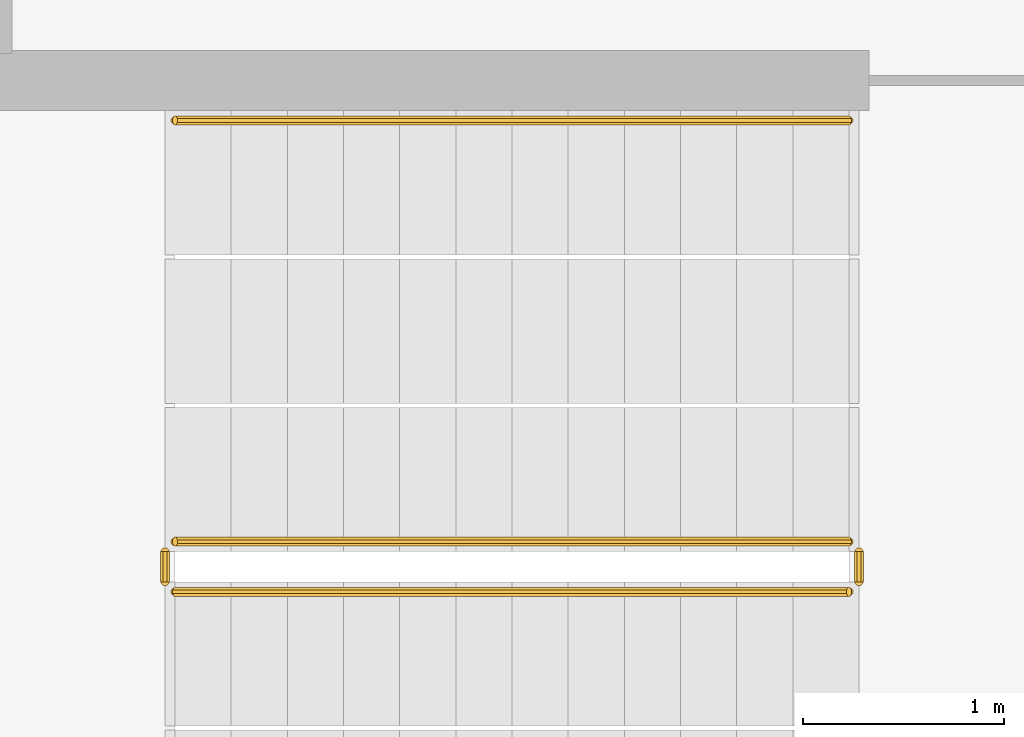
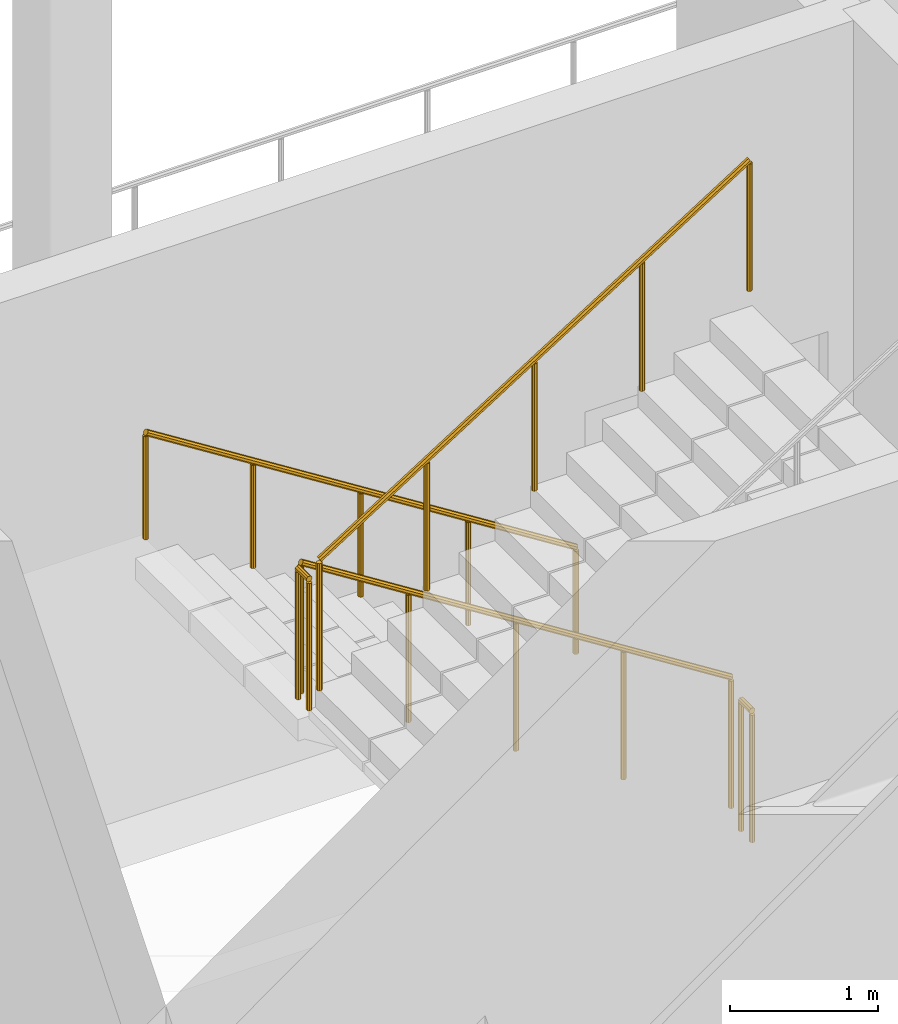
# One storey, part 22 of 31: 5 railings.
"""IFC4 building model written with IfcOpenShell, lengths in metres."""

from ifc_helpers import new_model, si_unit, direction, frame, origin, place, context, subcontext, project, spatial, polyline, outline, extrude, material, type_object, element, save


model = new_model("IFC4")

# Units and contexts
model_context = context("Model", 3, precision=1e-05, world=origin(), true_north=direction((0.0, 1.0)))
body_context = subcontext(model_context, "Body", "Model", "MODEL_VIEW")
ifc_project = project(units=[si_unit("LENGTHUNIT", "METRE"), si_unit("AREAUNIT", "SQUARE_METRE"), si_unit("VOLUMEUNIT", "CUBIC_METRE"), si_unit("PLANEANGLEUNIT", "RADIAN"), si_unit("MASSUNIT", "GRAM", prefix="KILO")], contexts=[model_context])

# Site, building, storey
site_placement = place(None, origin())
site = spatial("IfcSite", under=ifc_project, at=site_placement, CompositionType="ELEMENT")
building_placement = place(site_placement, origin())
building = spatial("IfcBuilding", under=site, at=building_placement, Name="Cormorant Relay Tower", CompositionType="ELEMENT")
storey_placement = place(building_placement, frame((0.0, 0.0, 93.800048828125)))
storey = spatial("IfcBuildingStorey", under=building, at=storey_placement, Name="L18", CompositionType="ELEMENT", Elevation=93.800048828125)

# Railings
ifc_material_1 = material(Name="Steel ASTM A572 Grade 50 (Fy 345 MPa)", Category="steel")
railing_type_1 = type_object("IfcRailingType", Name="Stair guard 1100", PredefinedType="GUARDRAIL", material=ifc_material_1)
railing_1_placement = place(storey_placement, frame((1.60009765625, -18.27490234375, 0.1767578125)))
element("IfcRailing", 1, at=railing_1_placement, inside=storey, type_object=railing_type_1, Name="L18 RK1 stair guard 1", PredefinedType="GUARDRAIL", context=body_context, shape_type="SweptSolid", body=[
    extrude(outline(polyline([(0.022216796875, 0.00927734375), (0.00927734375, 0.022216796875), (-0.00927734375, 0.022216796875), (-0.022216796875, 0.00927734375), (-0.022216796875, -0.00927734375), (-0.00927734375, -0.022216796875), (0.00927734375, -0.022216796875), (0.022216796875, -0.00927734375), (0.022216796875, 0.00927734375)])), frame((0.0, 0.0, 1.076171875), z_axis=(-0.845361898145, 0.0, 0.534194029511), x_axis=(0.0, -1.0, 0.0)), (0.0, 0.0, 1.0), 3.974853515625),
    extrude(outline(polyline([(0.019287109375, 0.008056640625), (0.008056640625, 0.019287109375), (-0.008056640625, 0.019287109375), (-0.019287109375, 0.008056640625), (-0.019287109375, -0.008056640625), (-0.008056640625, -0.019287109375), (0.008056640625, -0.019287109375), (0.019287109375, -0.008056640625), (0.019287109375, 0.008056640625)])), origin(), (0.0, 0.0, 1.0), 1.052001953125),
    extrude(outline(polyline([(0.019287109375, 0.008056640625), (0.008056640625, 0.019287109375), (-0.008056640625, 0.019287109375), (-0.019287109375, 0.008056640625), (-0.019287109375, -0.008056640625), (-0.008056640625, -0.019287109375), (0.008056640625, -0.019287109375), (0.019287109375, -0.008056640625), (0.019287109375, 0.008056640625)])), frame((-0.840087890625, 0.0, 0.53076171875)), (0.0, 0.0, 1.0), 1.052001953125),
    extrude(outline(polyline([(0.019287109375, 0.008056640625), (0.008056640625, 0.019287109375), (-0.008056640625, 0.019287109375), (-0.019287109375, 0.008056640625), (-0.019287109375, -0.008056640625), (-0.008056640625, -0.019287109375), (0.008056640625, -0.019287109375), (0.019287109375, -0.008056640625), (0.019287109375, 0.008056640625)])), frame((-1.68017578125, 0.0, 1.0615234375)), (0.0, 0.0, 1.0), 1.052001953125),
    extrude(outline(polyline([(0.019287109375, 0.008056640625), (0.008056640625, 0.019287109375), (-0.008056640625, 0.019287109375), (-0.019287109375, 0.008056640625), (-0.019287109375, -0.008056640625), (-0.008056640625, -0.019287109375), (0.008056640625, -0.019287109375), (0.019287109375, -0.008056640625), (0.019287109375, 0.008056640625)])), frame((-2.52001953125, 0.0, 1.592529296875)), (0.0, 0.0, 1.0), 1.052001953125),
    extrude(outline(polyline([(0.019287109375, 0.008056640625), (0.008056640625, 0.019287109375), (-0.008056640625, 0.019287109375), (-0.019287109375, 0.008056640625), (-0.019287109375, -0.008056640625), (-0.008056640625, -0.019287109375), (0.008056640625, -0.019287109375), (0.019287109375, -0.008056640625), (0.019287109375, 0.008056640625)])), frame((-3.360107421875, 0.0, 2.123291015625)), (0.0, 0.0, 1.0), 1.052001953125),
])
railing_2_placement = place(storey_placement, frame((-1.81005859375, -18.324951171875, 2.300048828125)))
element("IfcRailing", 2, at=railing_2_placement, inside=storey, type_object=railing_type_1, Name="L18 RK1 stair guard 2", PredefinedType="GUARDRAIL", context=body_context, shape_type="SweptSolid", body=[
    extrude(outline(polyline([(0.022216796875, 0.00927734375), (0.00927734375, 0.022216796875), (-0.00927734375, 0.022216796875), (-0.022216796875, 0.00927734375), (-0.022216796875, -0.00927734375), (-0.00927734375, -0.022216796875), (0.00927734375, -0.022216796875), (0.022216796875, -0.00927734375), (0.022216796875, 0.00927734375)])), frame((0.0, 0.0, 1.076171875), z_axis=(0.0, -1.0, 0.0), x_axis=(1.0, 0.0, 0.0)), (0.0, 0.0, 1.0), 0.150146484375),
    extrude(outline(polyline([(0.019287109375, 0.008056640625), (0.008056640625, 0.019287109375), (-0.008056640625, 0.019287109375), (-0.019287109375, 0.008056640625), (-0.019287109375, -0.008056640625), (-0.008056640625, -0.019287109375), (0.008056640625, -0.019287109375), (0.019287109375, -0.008056640625), (0.019287109375, 0.008056640625)])), origin(), (0.0, 0.0, 1.0), 1.052001953125),
    extrude(outline(polyline([(0.019287109375, 0.008056640625), (0.008056640625, 0.019287109375), (-0.008056640625, 0.019287109375), (-0.019287109375, 0.008056640625), (-0.019287109375, -0.008056640625), (-0.008056640625, -0.019287109375), (0.008056640625, -0.019287109375), (0.019287109375, -0.008056640625), (0.019287109375, 0.008056640625)])), frame((0.0, -0.150146484375, 0.0)), (0.0, 0.0, 1.0), 1.052001953125),
])
railing_3_placement = place(storey_placement, frame((-1.760009765625, -18.52490234375, 2.476806640625)))
element("IfcRailing", 3, at=railing_3_placement, inside=storey, type_object=railing_type_1, Name="L18 RK1 stair guard 3", PredefinedType="GUARDRAIL", context=body_context, shape_type="SweptSolid", body=[
    extrude(outline(polyline([(0.022216796875, 0.00927734375), (0.00927734375, 0.022216796875), (-0.00927734375, 0.022216796875), (-0.022216796875, 0.00927734375), (-0.022216796875, -0.00927734375), (-0.00927734375, -0.022216796875), (0.00927734375, -0.022216796875), (0.022216796875, -0.00927734375), (0.022216796875, 0.00927734375)])), frame((0.0, 0.0, 1.076171875), z_axis=(0.845389635667, 0.0, 0.534150132366), x_axis=(0.0, 1.0, 0.0)), (0.0, 0.0, 1.0), 3.974609375),
    extrude(outline(polyline([(0.019287109375, 0.008056640625), (0.008056640625, 0.019287109375), (-0.008056640625, 0.019287109375), (-0.019287109375, 0.008056640625), (-0.019287109375, -0.008056640625), (-0.008056640625, -0.019287109375), (0.008056640625, -0.019287109375), (0.019287109375, -0.008056640625), (0.019287109375, 0.008056640625)])), origin(), (0.0, 0.0, 1.0), 1.052001953125),
    extrude(outline(polyline([(0.019287109375, 0.008056640625), (0.008056640625, 0.019287109375), (-0.008056640625, 0.019287109375), (-0.019287109375, 0.008056640625), (-0.019287109375, -0.008056640625), (-0.008056640625, -0.019287109375), (0.008056640625, -0.019287109375), (0.019287109375, -0.008056640625), (0.019287109375, 0.008056640625)])), frame((0.840087890625, 0.0, 0.53076171875)), (0.0, 0.0, 1.0), 1.052001953125),
    extrude(outline(polyline([(0.019287109375, 0.008056640625), (0.008056640625, 0.019287109375), (-0.008056640625, 0.019287109375), (-0.019287109375, 0.008056640625), (-0.019287109375, -0.008056640625), (-0.008056640625, -0.019287109375), (0.008056640625, -0.019287109375), (0.019287109375, -0.008056640625), (0.019287109375, 0.008056640625)])), frame((1.68017578125, 0.0, 1.0615234375)), (0.0, 0.0, 1.0), 1.052001953125),
    extrude(outline(polyline([(0.019287109375, 0.008056640625), (0.008056640625, 0.019287109375), (-0.008056640625, 0.019287109375), (-0.019287109375, 0.008056640625), (-0.019287109375, -0.008056640625), (-0.008056640625, -0.019287109375), (0.008056640625, -0.019287109375), (0.019287109375, -0.008056640625), (0.019287109375, 0.008056640625)])), frame((2.52001953125, 0.0, 1.59228515625)), (0.0, 0.0, 1.0), 1.052001953125),
    extrude(outline(polyline([(0.019287109375, 0.008056640625), (0.008056640625, 0.019287109375), (-0.008056640625, 0.019287109375), (-0.019287109375, 0.008056640625), (-0.019287109375, -0.008056640625), (-0.008056640625, -0.019287109375), (0.008056640625, -0.019287109375), (0.019287109375, -0.008056640625), (0.019287109375, 0.008056640625)])), frame((3.360107421875, 0.0, 2.123046875)), (0.0, 0.0, 1.0), 1.052001953125),
])
railing_4_placement = place(storey_placement, frame((1.64990234375, -18.324951171875, 0.0)))
element("IfcRailing", 4, at=railing_4_placement, inside=storey, type_object=railing_type_1, Name="L18 RK1 stair guard 4", PredefinedType="GUARDRAIL", context=body_context, shape_type="SweptSolid", body=[
    extrude(outline(polyline([(0.022216796875, 0.00927734375), (0.00927734375, 0.022216796875), (-0.00927734375, 0.022216796875), (-0.022216796875, 0.00927734375), (-0.022216796875, -0.00927734375), (-0.00927734375, -0.022216796875), (0.00927734375, -0.022216796875), (0.022216796875, -0.00927734375), (0.022216796875, 0.00927734375)])), frame((0.0, 0.0, 1.076171875), z_axis=(0.0, -1.0, 0.0), x_axis=(1.0, 0.0, 0.0)), (0.0, 0.0, 1.0), 0.150146484375),
    extrude(outline(polyline([(0.019287109375, 0.008056640625), (0.008056640625, 0.019287109375), (-0.008056640625, 0.019287109375), (-0.019287109375, 0.008056640625), (-0.019287109375, -0.008056640625), (-0.008056640625, -0.019287109375), (0.008056640625, -0.019287109375), (0.019287109375, -0.008056640625), (0.019287109375, 0.008056640625)])), origin(), (0.0, 0.0, 1.0), 1.052001953125),
    extrude(outline(polyline([(0.019287109375, 0.008056640625), (0.008056640625, 0.019287109375), (-0.008056640625, 0.019287109375), (-0.019287109375, 0.008056640625), (-0.019287109375, -0.008056640625), (-0.008056640625, -0.019287109375), (0.008056640625, -0.019287109375), (0.019287109375, -0.008056640625), (0.019287109375, 0.008056640625)])), frame((0.0, -0.150146484375, 0.0)), (0.0, 0.0, 1.0), 1.052001953125),
])
ifc_material_2 = material(Name="Steel ASTM A572 Grade 50 (Fy 345 MPa)", Category="steel")
railing_type_2 = type_object("IfcRailingType", Name="Stair handrail 900", PredefinedType="HANDRAIL", material=ifc_material_2)
railing_5_placement = place(storey_placement, frame((1.60009765625, -16.175048828125, 0.1767578125)))
element("IfcRailing", 5, at=railing_5_placement, inside=storey, type_object=railing_type_2, Name="L18 RK1 stair handrail 1", PredefinedType="HANDRAIL", context=body_context, shape_type="SweptSolid", body=[
    extrude(outline(polyline([(0.022216796875, 0.00927734375), (0.00927734375, 0.022216796875), (-0.00927734375, 0.022216796875), (-0.022216796875, 0.00927734375), (-0.022216796875, -0.00927734375), (-0.00927734375, -0.022216796875), (0.00927734375, -0.022216796875), (0.022216796875, -0.00927734375), (0.022216796875, 0.00927734375)])), frame((0.0, 0.0, 0.8759765625), z_axis=(-0.845361898145, 0.0, 0.534194029511), x_axis=(0.0, -1.0, 0.0)), (0.0, 0.0, 1.0), 3.974853515625),
    extrude(outline(polyline([(0.019287109375, 0.008056640625), (0.008056640625, 0.019287109375), (-0.008056640625, 0.019287109375), (-0.019287109375, 0.008056640625), (-0.019287109375, -0.008056640625), (-0.008056640625, -0.019287109375), (0.008056640625, -0.019287109375), (0.019287109375, -0.008056640625), (0.019287109375, 0.008056640625)])), origin(), (0.0, 0.0, 1.0), 0.851806640625),
    extrude(outline(polyline([(0.019287109375, 0.008056640625), (0.008056640625, 0.019287109375), (-0.008056640625, 0.019287109375), (-0.019287109375, 0.008056640625), (-0.019287109375, -0.008056640625), (-0.008056640625, -0.019287109375), (0.008056640625, -0.019287109375), (0.019287109375, -0.008056640625), (0.019287109375, 0.008056640625)])), frame((-0.840087890625, 0.0, 0.53076171875)), (0.0, 0.0, 1.0), 0.851806640625),
    extrude(outline(polyline([(0.019287109375, 0.008056640625), (0.008056640625, 0.019287109375), (-0.008056640625, 0.019287109375), (-0.019287109375, 0.008056640625), (-0.019287109375, -0.008056640625), (-0.008056640625, -0.019287109375), (0.008056640625, -0.019287109375), (0.019287109375, -0.008056640625), (0.019287109375, 0.008056640625)])), frame((-1.68017578125, 0.0, 1.0615234375)), (0.0, 0.0, 1.0), 0.851806640625),
    extrude(outline(polyline([(0.019287109375, 0.008056640625), (0.008056640625, 0.019287109375), (-0.008056640625, 0.019287109375), (-0.019287109375, 0.008056640625), (-0.019287109375, -0.008056640625), (-0.008056640625, -0.019287109375), (0.008056640625, -0.019287109375), (0.019287109375, -0.008056640625), (0.019287109375, 0.008056640625)])), frame((-2.52001953125, 0.0, 1.592529296875)), (0.0, 0.0, 1.0), 0.851806640625),
    extrude(outline(polyline([(0.019287109375, 0.008056640625), (0.008056640625, 0.019287109375), (-0.008056640625, 0.019287109375), (-0.019287109375, 0.008056640625), (-0.019287109375, -0.008056640625), (-0.008056640625, -0.019287109375), (0.008056640625, -0.019287109375), (0.019287109375, -0.008056640625), (0.019287109375, 0.008056640625)])), frame((-3.360107421875, 0.0, 2.123291015625)), (0.0, 0.0, 1.0), 0.851806640625),
])

save(model, "model.ifc")
